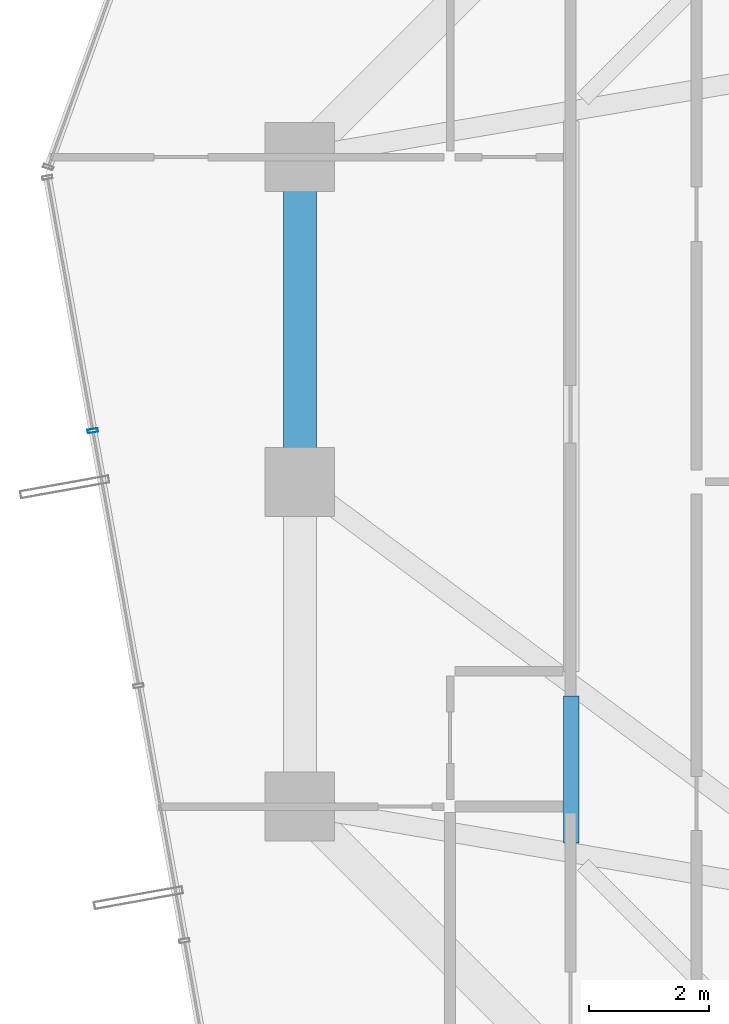
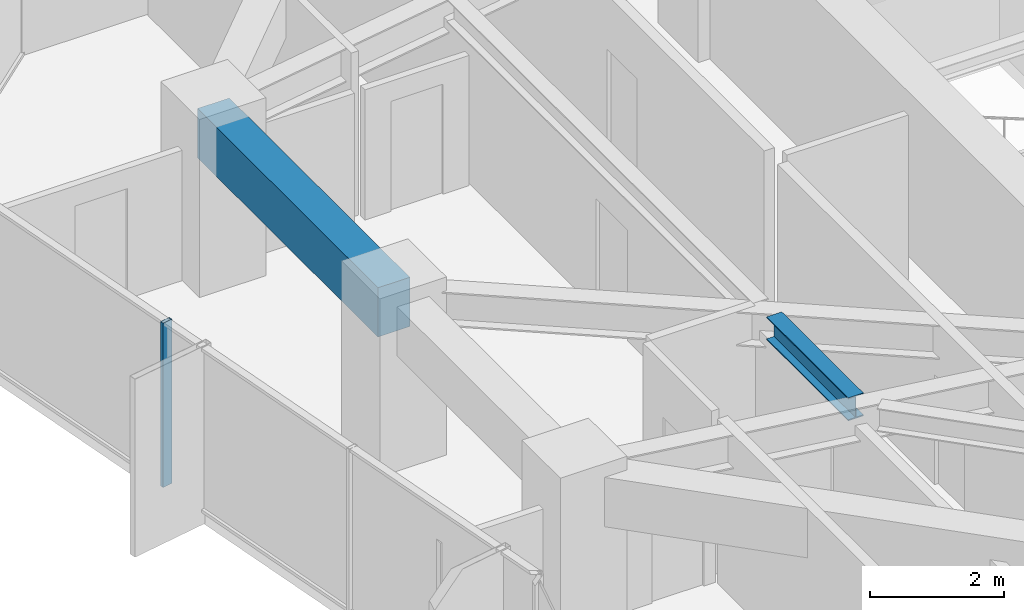
# One storey, part 11 of 36: 2 beams, 1 member, 1 element without a shape of its own.
"""IFC4 building model written with IfcOpenShell, lengths in metres."""

from ifc_helpers import new_model, si_unit, direction, frame, origin, origin_2d, place, context, subcontext, project, spatial, rectangle, hollow_rectangle, i_section, extrude, source, transform, mapped, material, layer, layer_set, material_profile, profile_set, type_object, element, aggregate, save


model = new_model("IFC4")

# Units and contexts
model_context = context("Model", 3, precision=1e-05, world=origin(), true_north=direction((0.0, 1.0)))
body_context = subcontext(model_context, "Body", "Model", "MODEL_VIEW")
ifc_project = project(units=[si_unit("LENGTHUNIT", "METRE"), si_unit("AREAUNIT", "SQUARE_METRE"), si_unit("VOLUMEUNIT", "CUBIC_METRE"), si_unit("PLANEANGLEUNIT", "RADIAN"), si_unit("MASSUNIT", "GRAM", prefix="KILO")], contexts=[model_context])

# Site, building, storey
site_placement = place(None, origin())
site = spatial("IfcSite", under=ifc_project, at=site_placement, CompositionType="ELEMENT")
building_placement = place(site_placement, origin())
building = spatial("IfcBuilding", under=site, at=building_placement, Name="Veraguas Prism Commons", CompositionType="ELEMENT")
storey_placement = place(building_placement, frame((0.0, 0.0, 163.050048828125)))
storey = spatial("IfcBuildingStorey", under=building, at=storey_placement, Name="L46", CompositionType="ELEMENT", Elevation=163.050048828125)

# Beams
ifc_material_1 = material(Name="Steel ASTM A992 Grade 50", Category="steel")
ifc_material_profile_1 = material_profile(ifc_material_1, i_section(OverallWidth=0.260986328125, OverallDepth=0.419921875, WebThickness=0.01171875, FlangeThickness=0.019287109375, at=origin_2d()), Name="W410X114")
ifc_profile_set_1 = profile_set([ifc_material_profile_1], Name="Steel ASTM A992 Grade 50")
beam_type_1 = type_object("IfcBeamType", Name="Lower Floor Joist W410x114", PredefinedType="JOIST", material=ifc_profile_set_1)
beam_1_placement = place(storey_placement, frame((12.31201171875, 20.43798828125, 2.7900390625), z_axis=(0.0, -1.0, 0.0), x_axis=(1.0, 0.0, 0.0)))
element("IfcBeam", 1, at=beam_1_placement, inside=storey, type_object=beam_type_1, Name="Composite Floor Joist L46-JS08", PredefinedType="JOIST", context=body_context, shape_type="SweptSolid", body=[
    extrude(i_section(OverallWidth=0.260986328125, OverallDepth=0.419921875, WebThickness=0.01171875, FlangeThickness=0.019287109375, at=origin_2d()), origin(), (0.0, 0.0, 1.0), 2.441650390625),
])
ifc_material_2 = material(Name="Concrete C50/60", Category="concrete")
ifc_material_profile_2 = material_profile(ifc_material_2, rectangle(XDim=0.550048828125, YDim=0.89990234375, at=origin_2d()), Name="RC550X900")
ifc_profile_set_2 = profile_set([ifc_material_profile_2], Name="Concrete C50/60")
beam_type_2 = type_object("IfcBeamType", Name="Perimeter Spandrel Lower RC 550x900", PredefinedType="SPANDREL", material=ifc_profile_set_2)
beam_2_placement = place(storey_placement, frame((7.800048828125, 29.39990234375, 2.550048828125), z_axis=(0.0, -1.0, 0.0), x_axis=(1.0, 0.0, 0.0)))
element("IfcBeam", 2, at=beam_2_placement, inside=storey, type_object=beam_type_2, Name="Perimeter Spandrel Beam L46-SP07", PredefinedType="SPANDREL", context=body_context, shape_type="SweptSolid", body=[
    extrude(rectangle(XDim=0.550048828125, YDim=0.89990234375, at=origin_2d()), origin(), (0.0, 0.0, 1.0), 5.39990234375),
])

# Curtain wall, member
ifc_material_3 = material(Name="Anodised aluminium EN AW-6063 T6", Category="aluminium")
ifc_layer = layer(ifc_material_3, 0.169921875, Name="Unitised Flush Curtain Wall Zone 2", Category="aluminium")
ifc_layer_set = layer_set([ifc_layer], Name="Anodised aluminium EN AW-6063 T6")
curtain_wall_type = type_object("IfcCurtainWallType", Name="Unitised Flush Curtain Wall Zone 2", PredefinedType="NOTDEFINED", material=ifc_layer_set)
curtain_wall_placement = place(storey_placement, origin())
curtain_wall = element("IfcCurtainWall", 3, at=curtain_wall_placement, inside=storey, type_object=curtain_wall_type, Name="Tower Facade Curtain Wall L46-F3", PredefinedType="NOTDEFINED")
ifc_material_profile_3 = material_profile(ifc_material_3, hollow_rectangle(XDim=0.06005859375, YDim=0.169921875, WallThickness=0.00390625, at=origin_2d()), Name="AL60X170X4")
ifc_profile_set_3 = profile_set([ifc_material_profile_3], Name="Anodised aluminium EN AW-6063 T6")
member_type = type_object("IfcMemberType", Name="Curtain Wall Mullion Lower AL 60x170x4", PredefinedType="MULLION", material=ifc_profile_set_3)
shared_shape = source(origin(), body_context, "Body", "SweptSolid", [
    extrude(hollow_rectangle(XDim=0.06005859375, YDim=0.169921875, WallThickness=0.00390625, at=origin_2d()), origin(), (0.0, 0.0, 1.0), 3.0),
])
member_placement = place(storey_placement, frame((4.35791015625, 24.850341796875, 0.0), z_axis=(0.0, 0.0, 1.0), x_axis=(0.176741180461, -0.984257362243, 0.0)))
member = element("IfcMember", 4, at=member_placement, type_object=member_type, Name="CW-Z2 Mullion 2", PredefinedType="MULLION", context=body_context, shape_type="MappedRepresentation", body=[
    mapped(shared_shape, transform((0.0, 0.0, 0.0), scale=1.0)),
])
aggregate(curtain_wall, [member])

save(model, "model.ifc")
